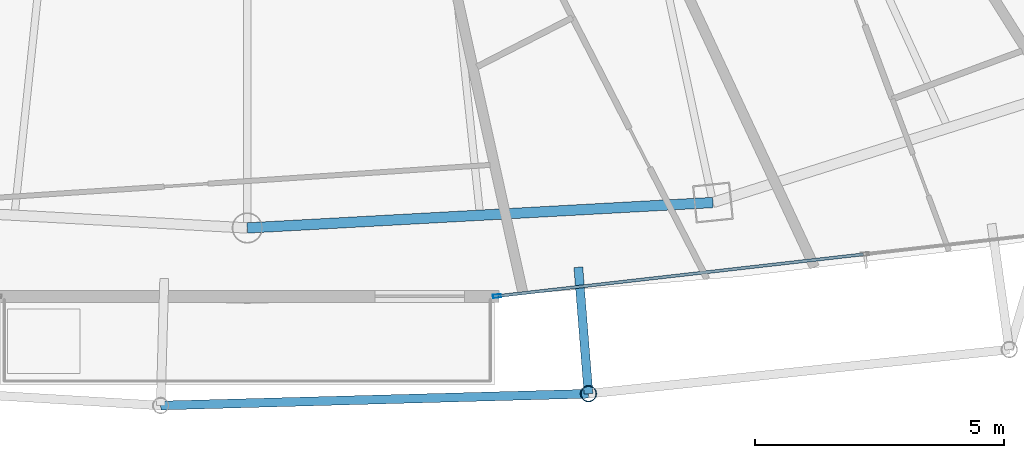
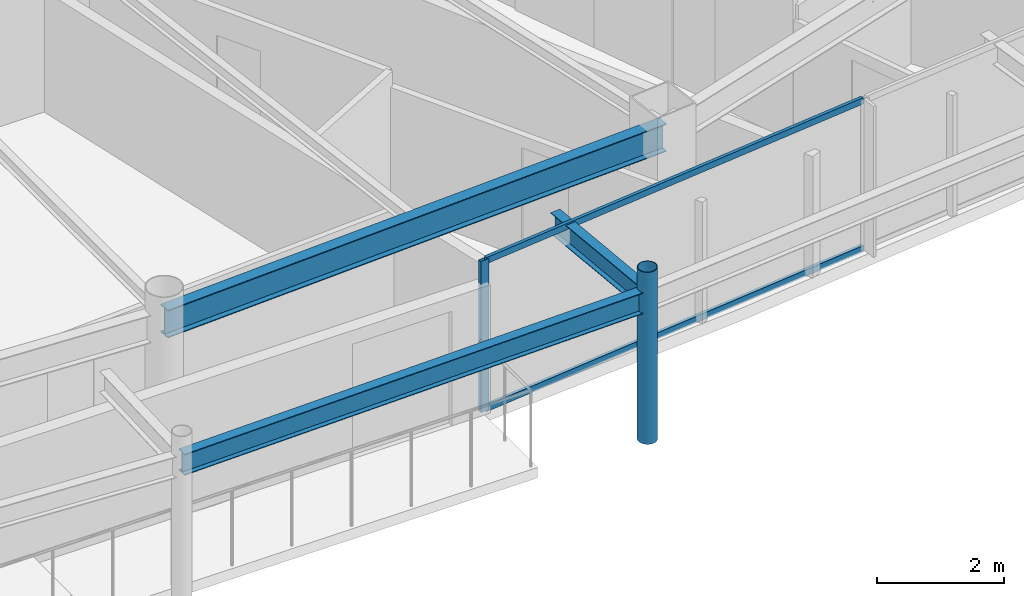
# One storey, part 8 of 29: 4 members, 3 beams, 1 element without a shape of its own.
"""IFC4 building model written with IfcOpenShell, lengths in metres."""

from ifc_helpers import new_model, si_unit, direction, frame, origin, origin_2d, place, context, subcontext, project, spatial, hollow_rectangle, hollow_circle, i_section, extrude, material, layer, layer_set, material_profile, profile_set, type_object, element, aggregate, save


model = new_model("IFC4")

# Units and contexts
model_context = context("Model", 3, precision=1e-05, world=origin(), true_north=direction((0.0, 1.0)))
body_context = subcontext(model_context, "Body", "Model", "MODEL_VIEW")
ifc_project = project(units=[si_unit("LENGTHUNIT", "METRE"), si_unit("AREAUNIT", "SQUARE_METRE"), si_unit("VOLUMEUNIT", "CUBIC_METRE"), si_unit("PLANEANGLEUNIT", "RADIAN"), si_unit("MASSUNIT", "GRAM", prefix="KILO")], contexts=[model_context])

# Site, building, storey
site_placement = place(None, origin())
site = spatial("IfcSite", under=ifc_project, at=site_placement, CompositionType="ELEMENT")
building_placement = place(site_placement, origin())
building = spatial("IfcBuilding", under=site, at=building_placement, Name="Orvanel Arch Residences", CompositionType="ELEMENT")
storey_placement = place(building_placement, frame((0.0, 0.0, 253.550048828125)))
storey = spatial("IfcBuildingStorey", under=building, at=storey_placement, Name="L72", CompositionType="ELEMENT", Elevation=253.550048828125)

# Curtain wall, member
ifc_material_1 = material(Name="Bronze-anodised aluminium AA6063-T6", Category="aluminium")
ifc_layer = layer(ifc_material_1, 0.175048828125)
ifc_layer_set = layer_set([ifc_layer], Name="Bronze-anodised aluminium AA6063-T6")
curtain_wall_type = type_object("IfcCurtainWallType", Name="CW4-HI-SYS", PredefinedType="NOTDEFINED", material=ifc_layer_set)
curtain_wall_placement = place(storey_placement, origin())
curtain_wall = element("IfcCurtainWall", 1, at=curtain_wall_placement, inside=storey, type_object=curtain_wall_type, Name="L72 CW4-HI-SYS Unitised Curtain Wall", PredefinedType="NOTDEFINED")
ifc_material_profile_1 = material_profile(ifc_material_1, hollow_rectangle(XDim=0.06494140625, YDim=0.159912109375, WallThickness=0.00390625, at=origin_2d()), Name="ALU160x65x4")
ifc_profile_set_1 = profile_set([ifc_material_profile_1], Name="Bronze-anodised aluminium AA6063-T6")
member_type_1 = type_object("IfcMemberType", Name="MUL-160x65", PredefinedType="MULLION", material=ifc_profile_set_1)
member_1_placement = place(storey_placement, frame((38.01318359375, 5.4755859375, 0.0), z_axis=(0.0, 0.0, 1.0), x_axis=(-0.113259630878, 0.993565426136, 0.0)))
member_1 = element("IfcMember", 2, at=member_1_placement, type_object=member_type_1, Name="CW-S4 mullion 1", PredefinedType="MULLION", context=body_context, shape_type="SweptSolid", body=[
    extrude(hollow_rectangle(XDim=0.06494140625, YDim=0.159912109375, WallThickness=0.00390625, at=origin_2d()), origin(), (0.0, 0.0, 1.0), 2.89990234375),
])

# Beams
ifc_material_2 = material(Name="Structural steel AS/NZS 3679.1 Grade 300 (300 MPa)", Category="steel")
ifc_material_profile_2 = material_profile(ifc_material_2, i_section(OverallWidth=0.177978515625, OverallDepth=0.406005859375, WebThickness=0.0078125, FlangeThickness=0.0126953125, at=origin_2d()), Name="410UB59.7")
ifc_profile_set_2 = profile_set([ifc_material_profile_2], Name="Structural steel AS/NZS 3679.1 Grade 300 (300 MPa)")
beam_type_1 = type_object("IfcBeamType", Name="OB-410UB-EXT", PredefinedType="SPANDREL", material=ifc_profile_set_2)
beam_1_placement = place(storey_placement, frame((31.260986328125, 3.278076171875, 2.697021484375), z_axis=(0.999620289848, 0.027554965505, 0.0), x_axis=(-0.027554965505, 0.999620289848, 0.0)))
element("IfcBeam", 3, at=beam_1_placement, inside=storey, type_object=beam_type_1, Name="L72 Outer Perimeter Floor Ring Beam 06", PredefinedType="SPANDREL", context=body_context, shape_type="SweptSolid", body=[
    extrude(i_section(OverallWidth=0.177978515625, OverallDepth=0.406005859375, WebThickness=0.0078125, FlangeThickness=0.0126953125, at=origin_2d()), origin(), (0.0, 0.0, 1.0), 8.59423828125),
])
beam_2_placement = place(storey_placement, frame((39.64794921875, 6.055908203125, 2.697021484375), z_axis=(0.080064964007, -0.996789647588, 0.0), x_axis=(0.996789647588, 0.080064964007, 0.0)))
element("IfcBeam", 4, at=beam_2_placement, inside=storey, type_object=beam_type_1, Name="L72 Outer Frame Radial Tie Beam 07", PredefinedType="SPANDREL", context=body_context, shape_type="SweptSolid", body=[
    extrude(i_section(OverallWidth=0.177978515625, OverallDepth=0.406005859375, WebThickness=0.0078125, FlangeThickness=0.0126953125, at=origin_2d()), origin(), (0.0, 0.0, 1.0), 2.54931640625),
])
ifc_material_profile_3 = material_profile(ifc_material_2, i_section(OverallWidth=0.208984375, OverallDepth=0.532958984375, WebThickness=0.01025390625, FlangeThickness=0.015625, at=origin_2d()), Name="530UB92.4")
ifc_profile_set_3 = profile_set([ifc_material_profile_3], Name="Structural steel AS/NZS 3679.1 Grade 300 (300 MPa)")
beam_type_2 = type_object("IfcBeamType", Name="SP-530UB", PredefinedType="SPANDREL", material=ifc_profile_set_3)
beam_3_placement = place(storey_placement, frame((33.0, 6.843994140625, 2.633056640625), z_axis=(0.998510315598, 0.054563262768, 0.0), x_axis=(-0.054563262768, 0.998510315598, 0.0)))
element("IfcBeam", 5, at=beam_3_placement, inside=storey, type_object=beam_type_2, Name="L72 Perimeter Spandrel Beam 04", PredefinedType="SPANDREL", context=body_context, shape_type="SweptSolid", body=[
    extrude(i_section(OverallWidth=0.208984375, OverallDepth=0.532958984375, WebThickness=0.01025390625, FlangeThickness=0.015625, at=origin_2d()), origin(), (0.0, 0.0, 1.0), 9.364990234375),
])

# Member
ifc_material_3 = material(Name="Structural steel AS/NZS 1163 C350L0 (Grade 350)", Category="steel")
ifc_material_profile_4 = material_profile(ifc_material_3, hollow_circle(Radius=0.162109375, WallThickness=0.0126953125, at=origin_2d()), Name="CHS324x12.7")
ifc_profile_set_4 = profile_set([ifc_material_profile_4], Name="Structural steel AS/NZS 1163 C350L0 (Grade 350)")
member_type_2 = type_object("IfcMemberType", Name="ST-324CHS-EXT", PredefinedType="STRUT", material=ifc_profile_set_4)
member_2_placement = place(storey_placement, frame((39.85205078125, 3.514892578125, 0.0), z_axis=(0.0, 0.0, 1.0), x_axis=(1.0, 0.0, 0.0)))
element("IfcMember", 6, at=member_2_placement, inside=storey, type_object=member_type_2, Name="L72 Outer Perimeter Frame Post 07", PredefinedType="STRUT", context=body_context, shape_type="SweptSolid", body=[
    extrude(hollow_circle(Radius=0.162109375, WallThickness=0.0126953125, at=origin_2d()), origin(), (0.0, 0.0, 1.0), 3.300048828125),
])

ifc_material_profile_5 = material_profile(ifc_material_1, hollow_rectangle(XDim=0.06005859375, YDim=0.1201171875, WallThickness=0.00341796875, at=origin_2d()), Name="ALU120x60x3.5")
ifc_profile_set_5 = profile_set([ifc_material_profile_5], Name="Bronze-anodised aluminium AA6063-T6")
member_type_3 = type_object("IfcMemberType", Name="TRN-120x60", PredefinedType="USERDEFINED", material=ifc_profile_set_5)
member_3_placement = place(storey_placement, frame((38.045654296875, 5.479248046875, 0.030029296875), z_axis=(0.993565082656, 0.113262644001, 0.0), x_axis=(-0.113262644001, 0.993565082656, 0.0)))
member_3 = element("IfcMember", 7, at=member_3_placement, type_object=member_type_3, Name="CW-S4 transom 1.1", ObjectType="TRANSOM", PredefinedType="USERDEFINED", context=body_context, shape_type="SweptSolid", body=[
    extrude(hollow_rectangle(XDim=0.06005859375, YDim=0.1201171875, WallThickness=0.00341796875, at=origin_2d()), origin(), (0.0, 0.0, 1.0), 7.371826171875),
])

member_4_placement = place(storey_placement, frame((38.045654296875, 5.479248046875, 2.869873046875), z_axis=(0.993565082656, 0.113262644001, 0.0), x_axis=(-0.113262644001, 0.993565082656, 0.0)))
member_4 = element("IfcMember", 8, at=member_4_placement, type_object=member_type_3, Name="CW-S4 transom 1.2", ObjectType="TRANSOM", PredefinedType="USERDEFINED", context=body_context, shape_type="SweptSolid", body=[
    extrude(hollow_rectangle(XDim=0.06005859375, YDim=0.1201171875, WallThickness=0.00341796875, at=origin_2d()), origin(), (0.0, 0.0, 1.0), 7.371826171875),
])

aggregate(curtain_wall, [member_1, member_3, member_4])

save(model, "model.ifc")
